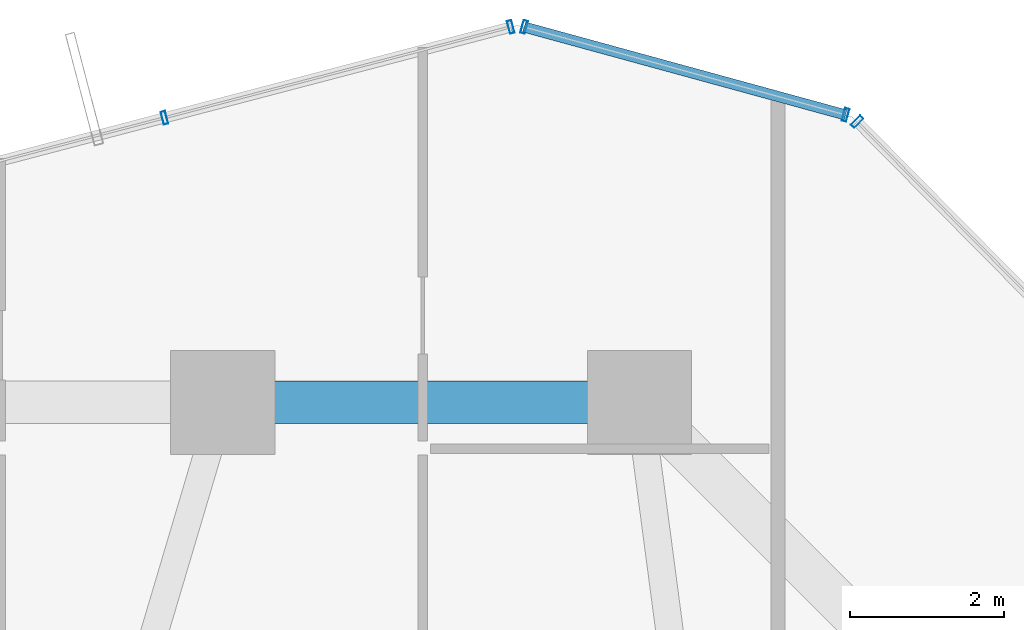
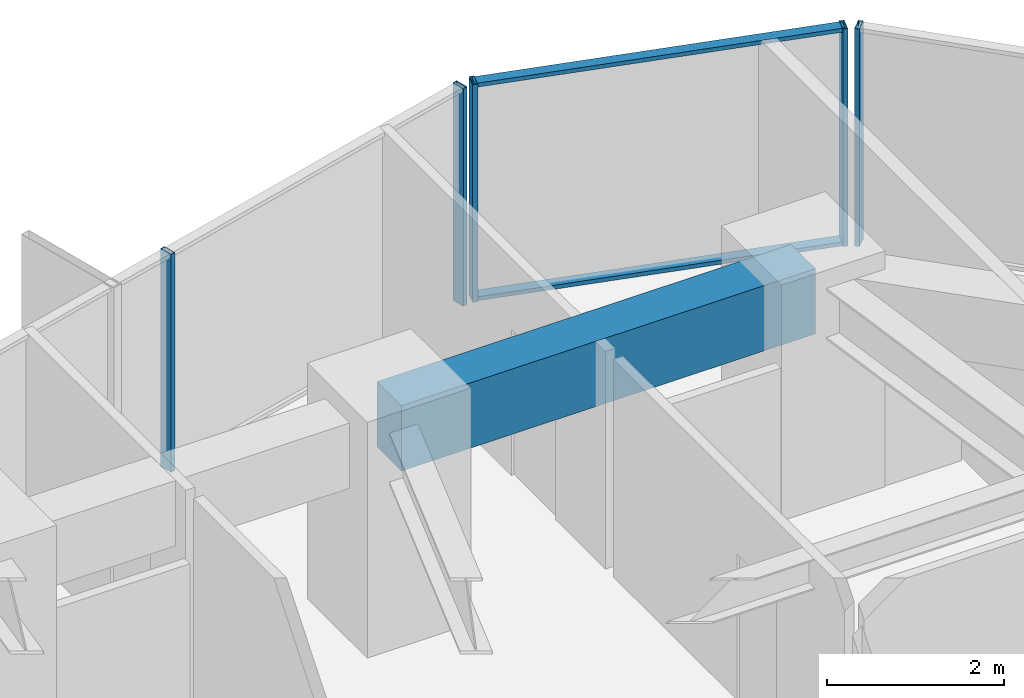
# One storey, part 28 of 39: 7 members, 1 beam, 3 elements without a shape of their own.
"""IFC4 building model written with IfcOpenShell, lengths in metres."""

import ifcopenshell
import ifcopenshell.guid

model = None  # the IFC model being written
_history = None  # IfcOwnerHistory: only IFC2X3 demands one
_inside = {}  # id of a spatial element -> (the spatial element, [elements in it])
_under = {}  # id of a project, library or spatial element -> (it, [spatial elements below it])
_declared = {}  # id of a project -> (the project, [libraries it declares])
_typed = {}  # id of a type object -> (the type object, [elements of that type])
_made_of = {}  # id of a material, layer set ... -> (it, [elements and type objects made of it])


def new_model(schema):
    """Start an empty IFC model of exactly this schema.

    Asked for "IFC4X3", IfcOpenShell would pick the latest addendum, in which some entities
    have other attributes; the version numbers below select the first issue.
    IFC2X3 requires an IfcOwnerHistory on every rooted entity: one is made here for all.
    """
    global model, _history
    if schema == "IFC4X3":
        model = ifcopenshell.file(schema_version=(4, 3, 0, 0))
    else:
        model = ifcopenshell.file(schema=schema)
    _inside.clear()
    _under.clear()
    _declared.clear()
    _typed.clear()
    _made_of.clear()
    _history = None
    if model.schema == "IFC2X3":
        org = make("IfcOrganization", Name="unknown")
        user = make(
            "IfcPersonAndOrganization",
            ThePerson=make("IfcPerson", FamilyName="unknown"),
            TheOrganization=org,
        )
        app = make(
            "IfcApplication",
            ApplicationDeveloper=org,
            Version="unknown",
            ApplicationFullName="unknown",
            ApplicationIdentifier="unknown",
        )
        _history = make(
            "IfcOwnerHistory",
            OwningUser=user,
            OwningApplication=app,
            ChangeAction="ADDED",
            CreationDate=0,
        )
    return model


def make(cls, **values):
    """One entity of the class cls with the attributes given. An attribute that is None is left unset."""
    return model.create_entity(
        cls, **{name: value for name, value in values.items() if value is not None}
    )


def rooted(cls, **values):
    """An entity with a GlobalId (a new one), such as an element, a storey or a relation."""
    return make(cls, GlobalId=ifcopenshell.guid.new(), OwnerHistory=_history, **values)


def si_unit(unit_type, name, prefix=None):
    """IfcSIUnit, for example si_unit("LENGTHUNIT", "METRE", prefix="MILLI")."""
    return make("IfcSIUnit", UnitType=unit_type, Prefix=prefix, Name=name)


def assignment(units):
    """IfcUnitAssignment: the units of a project."""
    return None if units is None else make("IfcUnitAssignment", Units=units)


def point(xyz):
    """IfcCartesianPoint."""
    return None if xyz is None else make("IfcCartesianPoint", Coordinates=xyz)


def direction(xyz):
    """IfcDirection."""
    return None if xyz is None else make("IfcDirection", DirectionRatios=xyz)


def frame(location, z_axis=None, x_axis=None):
    """IfcAxis2Placement3D, a coordinate frame: its origin and axes. An axis left out is left unset."""
    return make(
        "IfcAxis2Placement3D",
        Location=point(location),
        Axis=direction(z_axis),
        RefDirection=direction(x_axis),
    )


def frame_2d(location, x_axis=None):
    """IfcAxis2Placement2D, a coordinate frame in the plane: its origin and x axis."""
    return make(
        "IfcAxis2Placement2D", Location=point(location), RefDirection=direction(x_axis)
    )


def origin():
    """The frame at (0, 0, 0) with its axes left unset."""
    return frame((0.0, 0.0, 0.0))


def origin_2d():
    """The frame at (0, 0) in the plane with its x axis left unset."""
    return frame_2d((0.0, 0.0))


def place(relative_to, where):
    """IfcLocalPlacement: puts the frame where relative to a parent placement (None: the world)."""
    return make(
        "IfcLocalPlacement", PlacementRelTo=relative_to, RelativePlacement=where
    )


def context(
    kind, dimensions, precision=None, world=None, true_north=None, identifier=None
):
    """IfcGeometricRepresentationContext, for example the 3D "Model" context."""
    return make(
        "IfcGeometricRepresentationContext",
        ContextIdentifier=identifier,
        ContextType=kind,
        CoordinateSpaceDimension=dimensions,
        Precision=precision,
        WorldCoordinateSystem=world,
        TrueNorth=true_north,
    )


def subcontext(parent, identifier, kind, view, scale=None):
    """IfcGeometricRepresentationSubContext, for example "Body" below "Model"."""
    return make(
        "IfcGeometricRepresentationSubContext",
        ContextIdentifier=identifier,
        ContextType=kind,
        ParentContext=parent,
        TargetScale=scale,
        TargetView=view,
    )


def project(units=None, contexts=None):
    """IfcProject with its units and contexts."""
    return rooted(
        "IfcProject",
        Name="project",
        RepresentationContexts=contexts,
        UnitsInContext=assignment(units),
    )


def spatial(cls, under=None, at=None, **own):
    """A site, building, storey or space (cls), placed at a placement, below another one or the project."""
    s = rooted(cls, ObjectPlacement=at, **own)
    if under is not None:
        _under.setdefault(under.id(), (under, []))[1].append(s)
    return s


def profile(cls, at=None, kind="AREA", **sizes):
    """A parametric profile (cls). Its sizes go by their IFC names, for example OverallWidth=200.0."""
    return make(cls, ProfileType=kind, Position=at, **sizes)


def rectangle(**sizes):
    """IfcRectangleProfileDef."""
    return profile("IfcRectangleProfileDef", **sizes)


def hollow_rectangle(**sizes):
    """IfcRectangleHollowProfileDef."""
    return profile("IfcRectangleHollowProfileDef", **sizes)


def extrude(swept, where, along, depth):
    """IfcExtrudedAreaSolid: the profile swept, set in the frame where, extruded along a direction by depth."""
    return make(
        "IfcExtrudedAreaSolid",
        SweptArea=swept,
        Position=where,
        ExtrudedDirection=direction(along),
        Depth=depth,
    )


def shape(context_of_items, identifier, shape_type, items):
    """IfcShapeRepresentation: the items that make up one representation, for example the "Body"."""
    return make(
        "IfcShapeRepresentation",
        ContextOfItems=context_of_items,
        RepresentationIdentifier=identifier,
        RepresentationType=shape_type,
        Items=items,
    )


def source(mapping_origin, context_of_items, identifier, shape_type, items):
    """IfcRepresentationMap: a shape defined once, which mapped items show again and again."""
    return make(
        "IfcRepresentationMap",
        MappingOrigin=mapping_origin,
        MappedRepresentation=shape(context_of_items, identifier, shape_type, items),
    )


def transform(
    local_origin,
    x_axis=None,
    y_axis=None,
    z_axis=None,
    scale=None,
    scale2=None,
    scale3=None,
    uniform=True,
):
    """IfcCartesianTransformationOperator3D, or its non-uniform kind. x_axis, y_axis, z_axis: its Axis1, 2, 3."""
    if uniform:
        return make(
            "IfcCartesianTransformationOperator3D",
            Axis1=direction(x_axis),
            Axis2=direction(y_axis),
            LocalOrigin=point(local_origin),
            Scale=scale,
            Axis3=direction(z_axis),
        )
    return make(
        "IfcCartesianTransformationOperator3DnonUniform",
        Axis1=direction(x_axis),
        Axis2=direction(y_axis),
        LocalOrigin=point(local_origin),
        Scale=scale,
        Axis3=direction(z_axis),
        Scale2=scale2,
        Scale3=scale3,
    )


def mapped(mapping_source, mapping_target):
    """IfcMappedItem: shows the shape of a source again, moved by a transform."""
    return make(
        "IfcMappedItem", MappingSource=mapping_source, MappingTarget=mapping_target
    )


def material(Name=None, Category=None):
    """IfcMaterial."""
    return make("IfcMaterial", Name=Name, Category=Category)


def layer(
    of_material, thickness, ventilated=None, Name=None, Category=None, Priority=None
):
    """IfcMaterialLayer: one layer of a wall or slab, of a material (None: an air gap)."""
    return make(
        "IfcMaterialLayer",
        Material=of_material,
        LayerThickness=thickness,
        IsVentilated=ventilated,
        Name=Name,
        Category=Category,
        Priority=Priority,
    )


def layer_set(layers, Name=None):
    """IfcMaterialLayerSet."""
    return make("IfcMaterialLayerSet", MaterialLayers=layers, LayerSetName=Name)


def material_profile(
    of_material, cross_section, Name=None, Category=None, Priority=None
):
    """IfcMaterialProfile: a cross section and its material."""
    return make(
        "IfcMaterialProfile",
        Name=Name,
        Material=of_material,
        Profile=cross_section,
        Priority=Priority,
        Category=Category,
    )


def profile_set(profiles, Name=None, composite=None):
    """IfcMaterialProfileSet."""
    return make(
        "IfcMaterialProfileSet",
        Name=Name,
        MaterialProfiles=profiles,
        CompositeProfile=composite,
    )


def made_of(thing, what):
    """Note that an element or type object is made of a material, layer set ...; save() writes the relation."""
    if what is not None:
        _made_of.setdefault(what.id(), (what, []))[1].append(thing)
    return thing


def type_object(cls, material=None, **own):
    """A type object (cls), such as IfcWallType, which elements share."""
    return made_of(rooted(cls, **own), material)


def element(
    cls,
    number,
    at=None,
    inside=None,
    cuts=None,
    type_object=None,
    material=None,
    context=None,
    identifier="Body",
    shape_type=None,
    held_by="IfcProductDefinitionShape",
    body=None,
    shapes=None,
    **own,
):
    """One element of the class cls, such as IfcWall. Its Tag is "e" and its number.

    at: its placement. inside: the storey or other place that contains it. cuts: it is an
    opening in that element (IfcRelVoidsElement). A single representation is given by context,
    identifier, shape_type and body (its items); several are given by shapes. held_by: the class
    of the entity that holds the representations. save() writes the other relations.
    """
    e = rooted(cls, Tag="e%d" % number, ObjectPlacement=at, **own)
    if body is not None:
        shapes = [shape(context, identifier, shape_type, body)]
    if shapes is not None:
        e.Representation = make(held_by, Representations=shapes)
    if inside is not None:
        _inside.setdefault(inside.id(), (inside, []))[1].append(e)
    if cuts is not None:
        rooted(
            "IfcRelVoidsElement", RelatingBuildingElement=cuts, RelatedOpeningElement=e
        )
    if type_object is not None:
        _typed.setdefault(type_object.id(), (type_object, []))[1].append(e)
    return made_of(e, material)


def aggregate(whole, parts):
    """IfcRelAggregates: a whole, such as a stair, and the parts it consists of."""
    return rooted("IfcRelAggregates", RelatingObject=whole, RelatedObjects=parts)


def save(model, path):
    """Write the relations noted so far, then the file.

    IfcRelAggregates (storeys below a building ...), IfcRelContainedInSpatialStructure (elements
    in a storey), IfcRelDefinesByType, IfcRelAssociatesMaterial and IfcRelDeclares: one each for
    every whole, place, type object, material and project.
    """
    for whole, parts in _under.values():
        aggregate(whole, parts)
    for where, things in _inside.values():
        rooted(
            "IfcRelContainedInSpatialStructure",
            RelatedElements=things,
            RelatingStructure=where,
        )
    for kind, things in _typed.values():
        rooted("IfcRelDefinesByType", RelatedObjects=things, RelatingType=kind)
    for what, things in _made_of.values():
        rooted("IfcRelAssociatesMaterial", RelatedObjects=things, RelatingMaterial=what)
    for by, libraries in _declared.values():
        rooted("IfcRelDeclares", RelatingContext=by, RelatedDefinitions=libraries)
    model.write(path)


model = new_model("IFC4")

# Units and contexts
model_context = context("Model", 3, precision=1e-05, world=origin(), true_north=direction((0.0, 1.0)))
body_context = subcontext(model_context, "Body", "Model", "MODEL_VIEW")
ifc_project = project(units=[si_unit("LENGTHUNIT", "METRE"), si_unit("AREAUNIT", "SQUARE_METRE"), si_unit("VOLUMEUNIT", "CUBIC_METRE"), si_unit("PLANEANGLEUNIT", "RADIAN"), si_unit("MASSUNIT", "GRAM", prefix="KILO")], contexts=[model_context])

# Site, building, storey
site_placement = place(None, origin())
site = spatial("IfcSite", under=ifc_project, at=site_placement, CompositionType="ELEMENT")
building_placement = place(site_placement, origin())
building = spatial("IfcBuilding", under=site, at=building_placement, Name="Veraguas Prism Commons", CompositionType="ELEMENT")
storey_placement = place(building_placement, frame((0.0, 0.0, 73.85009765625)))
storey = spatial("IfcBuildingStorey", under=building, at=storey_placement, Name="L20", CompositionType="ELEMENT", Elevation=73.85009765625)

# Beam
ifc_material_1 = material(Name="Concrete C50/60", Category="concrete")
ifc_material_profile_1 = material_profile(ifc_material_1, rectangle(XDim=0.550048828125, YDim=0.89990234375, at=origin_2d()), Name="RC550X900")
ifc_profile_set_1 = profile_set([ifc_material_profile_1], Name="Concrete C50/60")
beam_type = type_object("IfcBeamType", Name="Perimeter Spandrel Lower RC 550x900", PredefinedType="SPANDREL", material=ifc_profile_set_1)
beam_placement = place(storey_placement, frame((29.39990234375, 41.60009765625, 2.5498046875), z_axis=(-1.0, 0.0, 0.0), x_axis=(0.0, -1.0, 0.0)))
element("IfcBeam", 1, at=beam_placement, inside=storey, type_object=beam_type, Name="Perimeter Spandrel Beam L20-SP04", PredefinedType="SPANDREL", context=body_context, shape_type="SweptSolid", body=[
    extrude(rectangle(XDim=0.550048828125, YDim=0.89990234375, at=origin_2d()), origin(), (0.0, 0.0, 1.0), 5.39990234375),
])

# Curtain wall, members
ifc_material_2 = material(Name="Anodised aluminium EN AW-6063 T6", Category="aluminium")
ifc_layer = layer(ifc_material_2, 0.169921875, Name="Unitised Flush Curtain Wall Zone 1", Category="aluminium")
ifc_layer_set = layer_set([ifc_layer], Name="Anodised aluminium EN AW-6063 T6")
curtain_wall_type = type_object("IfcCurtainWallType", Name="Unitised Flush Curtain Wall Zone 1", PredefinedType="NOTDEFINED", material=ifc_layer_set)
curtain_wall_1_placement = place(storey_placement, origin())
curtain_wall_1 = element("IfcCurtainWall", 2, at=curtain_wall_1_placement, inside=storey, type_object=curtain_wall_type, Name="Chamfer Curtain Wall L20-C2", PredefinedType="NOTDEFINED")
ifc_material_profile_2 = material_profile(ifc_material_2, hollow_rectangle(XDim=0.054931640625, YDim=0.135009765625, WallThickness=0.0029296875, at=origin_2d()), Name="AL55X135X3")
ifc_profile_set_2 = profile_set([ifc_material_profile_2], Name="Anodised aluminium EN AW-6063 T6")
member_type_1 = type_object("IfcMemberType", Name="Curtain Wall Transom Standard AL 55x135x3", PredefinedType="USERDEFINED", material=ifc_profile_set_2)
shared_shape_1 = source(origin(), body_context, "Body", "SweptSolid", [
    extrude(hollow_rectangle(XDim=0.054931640625, YDim=0.135009765625, WallThickness=0.0029296875, at=origin_2d()), origin(), (0.0, 0.0, 1.0), 4.31982421875),
])
member_1_placement = place(storey_placement, frame((32.073486328125, 45.326416015625, 0.02734375), z_axis=(-0.964557459573, 0.263872899675, 0.0), x_axis=(0.0, 0.0, 1.0)))
member_1 = element("IfcMember", 3, at=member_1_placement, type_object=member_type_1, Name="CW-Z1 Transom 1", ObjectType="TRANSOM", PredefinedType="USERDEFINED", context=body_context, shape_type="MappedRepresentation", body=[
    mapped(shared_shape_1, transform((0.0, 0.0, 0.0), scale=1.0)),
])
member_2_placement = place(storey_placement, frame((32.073486328125, 45.326416015625, 2.972412109375), z_axis=(-0.964557459573, 0.263872899675, 0.0), x_axis=(0.0, 0.0, 1.0)))
member_2 = element("IfcMember", 4, at=member_2_placement, type_object=member_type_1, Name="CW-Z1 Transom 2", ObjectType="TRANSOM", PredefinedType="USERDEFINED", context=body_context, shape_type="MappedRepresentation", body=[
    mapped(shared_shape_1, transform((0.0, 0.0, 0.0), scale=1.0)),
])

# Curtain wall, member
curtain_wall_2_placement = place(storey_placement, origin())
curtain_wall_2 = element("IfcCurtainWall", 5, at=curtain_wall_2_placement, inside=storey, type_object=curtain_wall_type, Name="Tower Facade Curtain Wall L20-F1", PredefinedType="NOTDEFINED")
ifc_material_profile_3 = material_profile(ifc_material_2, hollow_rectangle(XDim=0.06005859375, YDim=0.169921875, WallThickness=0.00390625, at=origin_2d()), Name="AL60X170X4")
ifc_profile_set_3 = profile_set([ifc_material_profile_3], Name="Anodised aluminium EN AW-6063 T6")
member_type_2 = type_object("IfcMemberType", Name="Curtain Wall Mullion Lower AL 60x170x4", PredefinedType="MULLION", material=ifc_profile_set_3)
shared_shape_2 = source(origin(), body_context, "Body", "SweptSolid", [
    extrude(hollow_rectangle(XDim=0.06005859375, YDim=0.169921875, WallThickness=0.00390625, at=origin_2d()), origin(), (0.0, 0.0, 1.0), 3.0),
])
member_3_placement = place(storey_placement, frame((32.2236328125, 45.23876953125, 0.0), z_axis=(0.0, 0.0, 1.0), x_axis=(-0.70339346223, 0.710800701527, 0.0)))
member_3 = element("IfcMember", 6, at=member_3_placement, type_object=member_type_2, Name="CW-Z1 Mullion 5", PredefinedType="MULLION", context=body_context, shape_type="MappedRepresentation", body=[
    mapped(shared_shape_2, transform((0.0, 0.0, 0.0), scale=1.0)),
])
aggregate(curtain_wall_2, [member_3])

# Curtain wall, members
curtain_wall_3_placement = place(storey_placement, origin())
curtain_wall_3 = element("IfcCurtainWall", 7, at=curtain_wall_3_placement, inside=storey, type_object=curtain_wall_type, Name="Tower Facade Curtain Wall L20-F2", PredefinedType="NOTDEFINED")
member_4_placement = place(storey_placement, frame((27.73291015625, 46.46728515625, 0.0), z_axis=(0.0, 0.0, 1.0), x_axis=(-0.967267309883, -0.253759632785, 0.0)))
member_4 = element("IfcMember", 8, at=member_4_placement, type_object=member_type_2, Name="CW-Z1 Mullion 1", PredefinedType="MULLION", context=body_context, shape_type="MappedRepresentation", body=[
    mapped(shared_shape_2, transform((0.0, 0.0, 0.0), scale=1.0)),
])
member_5_placement = place(storey_placement, frame((23.243896484375, 45.28955078125, 0.0), z_axis=(0.0, 0.0, 1.0), x_axis=(-0.967267309883, -0.253759632785, 0.0)))
member_5 = element("IfcMember", 9, at=member_5_placement, type_object=member_type_2, Name="CW-Z1 Mullion 2", PredefinedType="MULLION", context=body_context, shape_type="MappedRepresentation", body=[
    mapped(shared_shape_2, transform((0.0, 0.0, 0.0), scale=1.0)),
])
aggregate(curtain_wall_3, [member_4, member_5])

# Member
member_6_placement = place(storey_placement, frame((32.073486328125, 45.326416015625, 0.0), z_axis=(0.0, 0.0, 1.0), x_axis=(-0.964554194568, 0.263884834238, 0.0)))
member_6 = element("IfcMember", 10, at=member_6_placement, type_object=member_type_2, Name="CW-Z1 Mullion 1", PredefinedType="MULLION", context=body_context, shape_type="MappedRepresentation", body=[
    mapped(shared_shape_2, transform((0.0, 0.0, 0.0), scale=1.0)),
])

member_7_placement = place(storey_placement, frame((27.90673828125, 46.46630859375, 0.0), z_axis=(0.0, 0.0, 1.0), x_axis=(-0.964554194568, 0.263884834238, 0.0)))
member_7 = element("IfcMember", 11, at=member_7_placement, type_object=member_type_2, Name="CW-Z1 Mullion 2", PredefinedType="MULLION", context=body_context, shape_type="MappedRepresentation", body=[
    mapped(shared_shape_2, transform((0.0, 0.0, 0.0), scale=1.0)),
])

aggregate(curtain_wall_1, [member_6, member_7, member_1, member_2])

save(model, "model.ifc")
